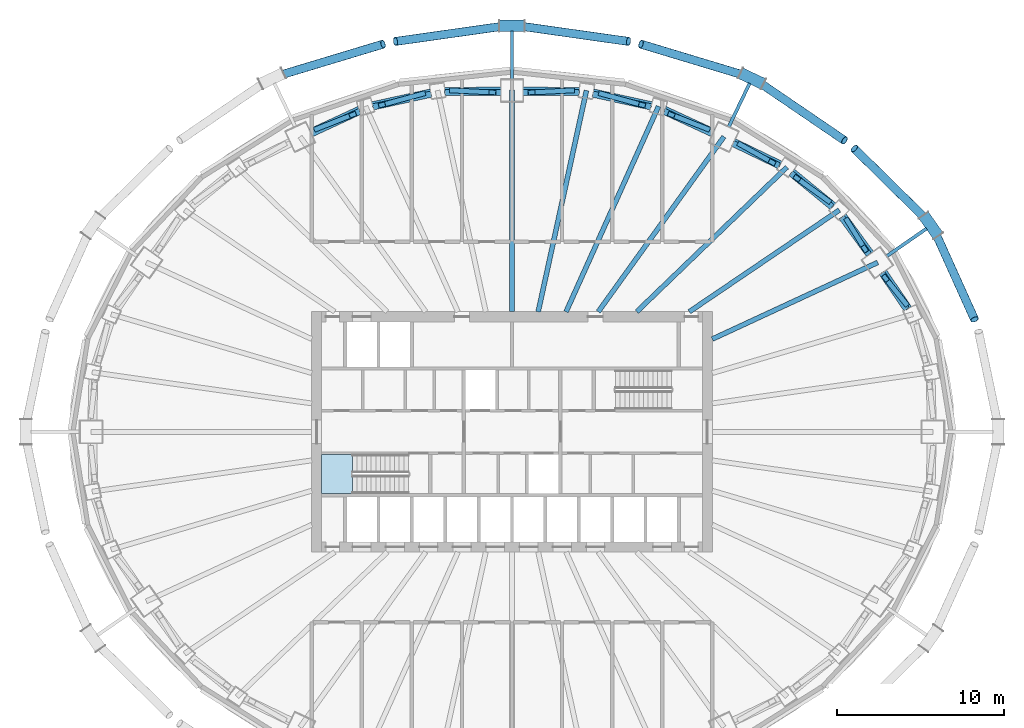
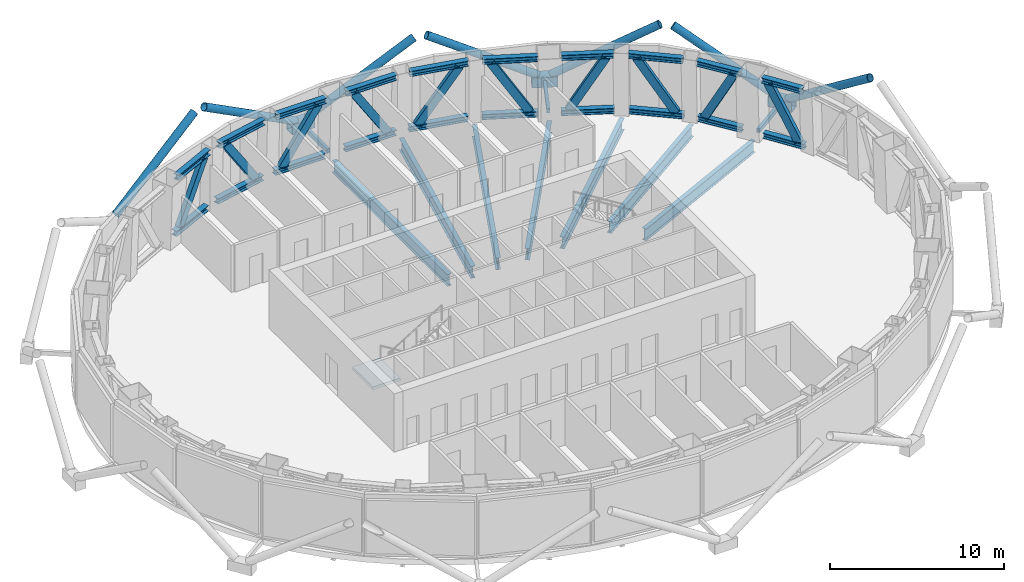
# One storey, part 4 of 18: 27 beams, 23 members, 1 slab, 1 element without a shape of its own.
"""IFC4 building model written with IfcOpenShell, lengths in metres."""

import ifcopenshell
import ifcopenshell.guid

model = None  # the IFC model being written
_history = None  # IfcOwnerHistory: only IFC2X3 demands one
_inside = {}  # id of a spatial element -> (the spatial element, [elements in it])
_under = {}  # id of a project, library or spatial element -> (it, [spatial elements below it])
_declared = {}  # id of a project -> (the project, [libraries it declares])
_typed = {}  # id of a type object -> (the type object, [elements of that type])
_made_of = {}  # id of a material, layer set ... -> (it, [elements and type objects made of it])


def new_model(schema):
    """Start an empty IFC model of exactly this schema.

    Asked for "IFC4X3", IfcOpenShell would pick the latest addendum, in which some entities
    have other attributes; the version numbers below select the first issue.
    IFC2X3 requires an IfcOwnerHistory on every rooted entity: one is made here for all.
    """
    global model, _history
    if schema == "IFC4X3":
        model = ifcopenshell.file(schema_version=(4, 3, 0, 0))
    else:
        model = ifcopenshell.file(schema=schema)
    _inside.clear()
    _under.clear()
    _declared.clear()
    _typed.clear()
    _made_of.clear()
    _history = None
    if model.schema == "IFC2X3":
        org = make("IfcOrganization", Name="unknown")
        user = make(
            "IfcPersonAndOrganization",
            ThePerson=make("IfcPerson", FamilyName="unknown"),
            TheOrganization=org,
        )
        app = make(
            "IfcApplication",
            ApplicationDeveloper=org,
            Version="unknown",
            ApplicationFullName="unknown",
            ApplicationIdentifier="unknown",
        )
        _history = make(
            "IfcOwnerHistory",
            OwningUser=user,
            OwningApplication=app,
            ChangeAction="ADDED",
            CreationDate=0,
        )
    return model


def make(cls, **values):
    """One entity of the class cls with the attributes given. An attribute that is None is left unset."""
    return model.create_entity(
        cls, **{name: value for name, value in values.items() if value is not None}
    )


def rooted(cls, **values):
    """An entity with a GlobalId (a new one), such as an element, a storey or a relation."""
    return make(cls, GlobalId=ifcopenshell.guid.new(), OwnerHistory=_history, **values)


def si_unit(unit_type, name, prefix=None):
    """IfcSIUnit, for example si_unit("LENGTHUNIT", "METRE", prefix="MILLI")."""
    return make("IfcSIUnit", UnitType=unit_type, Prefix=prefix, Name=name)


def assignment(units):
    """IfcUnitAssignment: the units of a project."""
    return None if units is None else make("IfcUnitAssignment", Units=units)


def point(xyz):
    """IfcCartesianPoint."""
    return None if xyz is None else make("IfcCartesianPoint", Coordinates=xyz)


def direction(xyz):
    """IfcDirection."""
    return None if xyz is None else make("IfcDirection", DirectionRatios=xyz)


def frame(location, z_axis=None, x_axis=None):
    """IfcAxis2Placement3D, a coordinate frame: its origin and axes. An axis left out is left unset."""
    return make(
        "IfcAxis2Placement3D",
        Location=point(location),
        Axis=direction(z_axis),
        RefDirection=direction(x_axis),
    )


def frame_2d(location, x_axis=None):
    """IfcAxis2Placement2D, a coordinate frame in the plane: its origin and x axis."""
    return make(
        "IfcAxis2Placement2D", Location=point(location), RefDirection=direction(x_axis)
    )


def origin():
    """The frame at (0, 0, 0) with its axes left unset."""
    return frame((0.0, 0.0, 0.0))


def origin_2d():
    """The frame at (0, 0) in the plane with its x axis left unset."""
    return frame_2d((0.0, 0.0))


def place(relative_to, where):
    """IfcLocalPlacement: puts the frame where relative to a parent placement (None: the world)."""
    return make(
        "IfcLocalPlacement", PlacementRelTo=relative_to, RelativePlacement=where
    )


def context(
    kind, dimensions, precision=None, world=None, true_north=None, identifier=None
):
    """IfcGeometricRepresentationContext, for example the 3D "Model" context."""
    return make(
        "IfcGeometricRepresentationContext",
        ContextIdentifier=identifier,
        ContextType=kind,
        CoordinateSpaceDimension=dimensions,
        Precision=precision,
        WorldCoordinateSystem=world,
        TrueNorth=true_north,
    )


def subcontext(parent, identifier, kind, view, scale=None):
    """IfcGeometricRepresentationSubContext, for example "Body" below "Model"."""
    return make(
        "IfcGeometricRepresentationSubContext",
        ContextIdentifier=identifier,
        ContextType=kind,
        ParentContext=parent,
        TargetScale=scale,
        TargetView=view,
    )


def project(units=None, contexts=None):
    """IfcProject with its units and contexts."""
    return rooted(
        "IfcProject",
        Name="project",
        RepresentationContexts=contexts,
        UnitsInContext=assignment(units),
    )


def spatial(cls, under=None, at=None, **own):
    """A site, building, storey or space (cls), placed at a placement, below another one or the project."""
    s = rooted(cls, ObjectPlacement=at, **own)
    if under is not None:
        _under.setdefault(under.id(), (under, []))[1].append(s)
    return s


def polyline(points):
    """IfcPolyline through the points."""
    return make("IfcPolyline", Points=[point(p) for p in points])


def profile(cls, at=None, kind="AREA", **sizes):
    """A parametric profile (cls). Its sizes go by their IFC names, for example OverallWidth=200.0."""
    return make(cls, ProfileType=kind, Position=at, **sizes)


def hollow_rectangle(**sizes):
    """IfcRectangleHollowProfileDef."""
    return profile("IfcRectangleHollowProfileDef", **sizes)


def hollow_circle(**sizes):
    """IfcCircleHollowProfileDef."""
    return profile("IfcCircleHollowProfileDef", **sizes)


def i_section(**sizes):
    """IfcIShapeProfileDef."""
    return profile("IfcIShapeProfileDef", **sizes)


def outline(outer, holes=None, kind="AREA"):
    """IfcArbitraryClosedProfileDef: a profile drawn as a closed curve; with holes, ...WithVoids."""
    if holes is None:
        return make("IfcArbitraryClosedProfileDef", ProfileType=kind, OuterCurve=outer)
    return make(
        "IfcArbitraryProfileDefWithVoids",
        ProfileType=kind,
        OuterCurve=outer,
        InnerCurves=holes,
    )


def extrude(swept, where, along, depth):
    """IfcExtrudedAreaSolid: the profile swept, set in the frame where, extruded along a direction by depth."""
    return make(
        "IfcExtrudedAreaSolid",
        SweptArea=swept,
        Position=where,
        ExtrudedDirection=direction(along),
        Depth=depth,
    )


def shape(context_of_items, identifier, shape_type, items):
    """IfcShapeRepresentation: the items that make up one representation, for example the "Body"."""
    return make(
        "IfcShapeRepresentation",
        ContextOfItems=context_of_items,
        RepresentationIdentifier=identifier,
        RepresentationType=shape_type,
        Items=items,
    )


def material(Name=None, Category=None):
    """IfcMaterial."""
    return make("IfcMaterial", Name=Name, Category=Category)


def layer(
    of_material, thickness, ventilated=None, Name=None, Category=None, Priority=None
):
    """IfcMaterialLayer: one layer of a wall or slab, of a material (None: an air gap)."""
    return make(
        "IfcMaterialLayer",
        Material=of_material,
        LayerThickness=thickness,
        IsVentilated=ventilated,
        Name=Name,
        Category=Category,
        Priority=Priority,
    )


def layer_set(layers, Name=None):
    """IfcMaterialLayerSet."""
    return make("IfcMaterialLayerSet", MaterialLayers=layers, LayerSetName=Name)


def material_profile(
    of_material, cross_section, Name=None, Category=None, Priority=None
):
    """IfcMaterialProfile: a cross section and its material."""
    return make(
        "IfcMaterialProfile",
        Name=Name,
        Material=of_material,
        Profile=cross_section,
        Priority=Priority,
        Category=Category,
    )


def profile_set(profiles, Name=None, composite=None):
    """IfcMaterialProfileSet."""
    return make(
        "IfcMaterialProfileSet",
        Name=Name,
        MaterialProfiles=profiles,
        CompositeProfile=composite,
    )


def made_of(thing, what):
    """Note that an element or type object is made of a material, layer set ...; save() writes the relation."""
    if what is not None:
        _made_of.setdefault(what.id(), (what, []))[1].append(thing)
    return thing


def type_object(cls, material=None, **own):
    """A type object (cls), such as IfcWallType, which elements share."""
    return made_of(rooted(cls, **own), material)


def element(
    cls,
    number,
    at=None,
    inside=None,
    cuts=None,
    type_object=None,
    material=None,
    context=None,
    identifier="Body",
    shape_type=None,
    held_by="IfcProductDefinitionShape",
    body=None,
    shapes=None,
    **own,
):
    """One element of the class cls, such as IfcWall. Its Tag is "e" and its number.

    at: its placement. inside: the storey or other place that contains it. cuts: it is an
    opening in that element (IfcRelVoidsElement). A single representation is given by context,
    identifier, shape_type and body (its items); several are given by shapes. held_by: the class
    of the entity that holds the representations. save() writes the other relations.
    """
    e = rooted(cls, Tag="e%d" % number, ObjectPlacement=at, **own)
    if body is not None:
        shapes = [shape(context, identifier, shape_type, body)]
    if shapes is not None:
        e.Representation = make(held_by, Representations=shapes)
    if inside is not None:
        _inside.setdefault(inside.id(), (inside, []))[1].append(e)
    if cuts is not None:
        rooted(
            "IfcRelVoidsElement", RelatingBuildingElement=cuts, RelatedOpeningElement=e
        )
    if type_object is not None:
        _typed.setdefault(type_object.id(), (type_object, []))[1].append(e)
    return made_of(e, material)


def aggregate(whole, parts):
    """IfcRelAggregates: a whole, such as a stair, and the parts it consists of."""
    return rooted("IfcRelAggregates", RelatingObject=whole, RelatedObjects=parts)


def save(model, path):
    """Write the relations noted so far, then the file.

    IfcRelAggregates (storeys below a building ...), IfcRelContainedInSpatialStructure (elements
    in a storey), IfcRelDefinesByType, IfcRelAssociatesMaterial and IfcRelDeclares: one each for
    every whole, place, type object, material and project.
    """
    for whole, parts in _under.values():
        aggregate(whole, parts)
    for where, things in _inside.values():
        rooted(
            "IfcRelContainedInSpatialStructure",
            RelatedElements=things,
            RelatingStructure=where,
        )
    for kind, things in _typed.values():
        rooted("IfcRelDefinesByType", RelatedObjects=things, RelatingType=kind)
    for what, things in _made_of.values():
        rooted("IfcRelAssociatesMaterial", RelatedObjects=things, RelatingMaterial=what)
    for by, libraries in _declared.values():
        rooted("IfcRelDeclares", RelatingContext=by, RelatedDefinitions=libraries)
    model.write(path)


model = new_model("IFC4")

# Units and contexts
model_context = context("Model", 3, precision=1e-05, world=origin(), true_north=direction((0.0, 1.0)))
body_context = subcontext(model_context, "Body", "Model", "MODEL_VIEW")
ifc_project = project(units=[si_unit("LENGTHUNIT", "METRE"), si_unit("AREAUNIT", "SQUARE_METRE"), si_unit("VOLUMEUNIT", "CUBIC_METRE"), si_unit("PLANEANGLEUNIT", "RADIAN"), si_unit("MASSUNIT", "GRAM", prefix="KILO")], contexts=[model_context])

# Site, building, storey
site_placement = place(None, origin())
site = spatial("IfcSite", under=ifc_project, at=site_placement, CompositionType="ELEMENT")
building_placement = place(site_placement, origin())
building = spatial("IfcBuilding", under=site, at=building_placement, Name="Siaravel Broadcast Tower", CompositionType="ELEMENT")
storey_placement = place(building_placement, frame((0.0, 0.0, 92.60009765625)))
storey = spatial("IfcBuildingStorey", under=building, at=storey_placement, Name="L21", CompositionType="ELEMENT", Elevation=92.60009765625)

# Beams
ifc_material_1 = material(Name="Steel S355", Category="steel")
ifc_material_profile_1 = material_profile(ifc_material_1, i_section(OverallWidth=0.291748046875, OverallDepth=0.8349609375, WebThickness=0.013916015625, FlangeThickness=0.018798828125, FilletRadius=0.017822265625, at=origin_2d()))
ifc_profile_set_1 = profile_set([ifc_material_profile_1], Name="Steel S355")
beam_type_1 = type_object("IfcBeamType", Name="BM-UB 838x292x176", PredefinedType="BEAM", material=ifc_profile_set_1)
beam_1_placement = place(storey_placement, frame((21.90966796875, 10.15283203125, -0.817626953125), z_axis=(-0.907319134, -0.420442611, 0.0), x_axis=(0.420442611, -0.907319134, 0.0)))
element("IfcBeam", 1, at=beam_1_placement, inside=storey, type_object=beam_type_1, Name="Radial beam RB04", PredefinedType="BEAM", context=body_context, shape_type="SweptSolid", body=[
    extrude(i_section(OverallWidth=0.291748046875, OverallDepth=0.8349609375, WebThickness=0.013916015625, FlangeThickness=0.018798828125, FilletRadius=0.017822265625, at=origin_2d()), origin(), (0.0, 0.0, 1.0), 10.921875),
])
beam_2_placement = place(storey_placement, frame((19.61669921875, 13.29443359375, -0.817626953125), z_axis=(-0.827804556, -0.561016592, 0.0), x_axis=(0.561016592, -0.827804556, 0.0)))
element("IfcBeam", 2, at=beam_2_placement, inside=storey, type_object=beam_type_1, Name="Radial beam RB05", PredefinedType="BEAM", context=body_context, shape_type="SweptSolid", body=[
    extrude(i_section(OverallWidth=0.291748046875, OverallDepth=0.8349609375, WebThickness=0.013916015625, FlangeThickness=0.018798828125, FilletRadius=0.017822265625, at=origin_2d()), origin(), (0.0, 0.0, 1.0), 10.86328125),
])
beam_3_placement = place(storey_placement, frame((16.476318359375, 15.86669921875, -0.817626953125), z_axis=(-0.720307557, -0.69365483, 0.0), x_axis=(0.69365483, -0.720307557, 0.0)))
element("IfcBeam", 3, at=beam_3_placement, inside=storey, type_object=beam_type_1, Name="Radial beam RB06", PredefinedType="BEAM", context=body_context, shape_type="SweptSolid", body=[
    extrude(i_section(OverallWidth=0.291748046875, OverallDepth=0.8349609375, WebThickness=0.013916015625, FlangeThickness=0.018798828125, FilletRadius=0.017822265625, at=origin_2d()), origin(), (0.0, 0.0, 1.0), 12.494384765625),
])
beam_4_placement = place(storey_placement, frame((12.698486328125, 17.688720703125, -0.817626953125), z_axis=(-0.58317543, -0.812346243, 0.0), x_axis=(0.812346243, -0.58317543, 0.0)))
element("IfcBeam", 4, at=beam_4_placement, inside=storey, type_object=beam_type_1, Name="Radial beam RB07", PredefinedType="BEAM", context=body_context, shape_type="SweptSolid", body=[
    extrude(i_section(OverallWidth=0.291748046875, OverallDepth=0.8349609375, WebThickness=0.013916015625, FlangeThickness=0.018798828125, FilletRadius=0.017822265625, at=origin_2d()), origin(), (0.0, 0.0, 1.0), 12.91162109375),
])
beam_5_placement = place(storey_placement, frame((8.779296875, 19.505615234375, -0.817626953125), z_axis=(-0.410427866, -0.911893068, 0.0), x_axis=(0.911893068, -0.410427866, 0.0)))
element("IfcBeam", 5, at=beam_5_placement, inside=storey, type_object=beam_type_1, Name="Radial beam RB08", PredefinedType="BEAM", context=body_context, shape_type="SweptSolid", body=[
    extrude(i_section(OverallWidth=0.291748046875, OverallDepth=0.8349609375, WebThickness=0.013916015625, FlangeThickness=0.018798828125, FilletRadius=0.017822265625, at=origin_2d()), origin(), (0.0, 0.0, 1.0), 13.49462890625),
])
beam_6_placement = place(storey_placement, frame((4.458984375, 20.45361328125, -0.817626953125), z_axis=(-0.213004955, -0.977051119, 0.0), x_axis=(0.977051119, -0.213004955, 0.0)))
element("IfcBeam", 6, at=beam_6_placement, inside=storey, type_object=beam_type_1, Name="Radial beam RB09", PredefinedType="BEAM", context=body_context, shape_type="SweptSolid", body=[
    extrude(i_section(OverallWidth=0.291748046875, OverallDepth=0.8349609375, WebThickness=0.013916015625, FlangeThickness=0.018798828125, FilletRadius=0.017822265625, at=origin_2d()), origin(), (0.0, 0.0, 1.0), 13.56494140625),
])
beam_7_placement = place(storey_placement, frame((0.0, 20.47314453125, -0.817626953125), z_axis=(0.0, -1.0, 0.0), x_axis=(1.0, 0.0, 0.0)))
element("IfcBeam", 7, at=beam_7_placement, inside=storey, type_object=beam_type_1, Name="Radial beam RB10", PredefinedType="BEAM", context=body_context, shape_type="SweptSolid", body=[
    extrude(i_section(OverallWidth=0.291748046875, OverallDepth=0.8349609375, WebThickness=0.013916015625, FlangeThickness=0.018798828125, FilletRadius=0.017822265625, at=origin_2d()), origin(), (0.0, 0.0, 1.0), 13.273193359375),
])
ifc_material_2 = material(Name="Steel S460", Category="steel")
ifc_material_profile_2 = material_profile(ifc_material_2, i_section(OverallWidth=0.374755859375, OverallDepth=0.37451171875, WebThickness=0.0166015625, FlangeThickness=0.027099609375, FilletRadius=0.01513671875, at=origin_2d()))
ifc_profile_set_2 = profile_set([ifc_material_profile_2], Name="Steel S460")
beam_type_2 = type_object("IfcBeamType", Name="Belt truss chord UC 356x368x202", PredefinedType="BEAM", material=ifc_profile_set_2)
beam_8_placement = place(storey_placement, frame((23.78173828125, 7.40087890625, 0.187255859375), z_axis=(-0.562433106, 0.826842791, 0.0), x_axis=(-0.826842791, -0.562433106, 0.0)))
element("IfcBeam", 8, at=beam_8_placement, inside=storey, type_object=beam_type_2, Name="Belt truss 1 bottom chord 03", PredefinedType="BEAM", context=body_context, shape_type="SweptSolid", body=[
    extrude(i_section(OverallWidth=0.374755859375, OverallDepth=0.37451171875, WebThickness=0.0166015625, FlangeThickness=0.027099609375, FilletRadius=0.01513671875, at=origin_2d()), origin(), (0.0, 0.0, 1.0), 2.658203125),
])
beam_9_placement = place(storey_placement, frame((23.63525390625, 7.357177734375, 4.16259765625), z_axis=(-0.562882554, 0.82653689, 0.0), x_axis=(-0.82653689, -0.562882554, 0.0)))
element("IfcBeam", 9, at=beam_9_placement, inside=storey, type_object=beam_type_2, Name="Belt truss 1 top chord 03", PredefinedType="BEAM", context=body_context, shape_type="SweptSolid", body=[
    extrude(i_section(OverallWidth=0.374755859375, OverallDepth=0.37451171875, WebThickness=0.0166015625, FlangeThickness=0.027099609375, FilletRadius=0.01513671875, at=origin_2d()), origin(), (0.0, 0.0, 1.0), 2.63525390625),
])
beam_10_placement = place(storey_placement, frame((21.5146484375, 10.694091796875, 0.187255859375), z_axis=(-0.589539817, 0.807739317, 0.0), x_axis=(-0.807739317, -0.589539817, 0.0)))
element("IfcBeam", 10, at=beam_10_placement, inside=storey, type_object=beam_type_2, Name="Belt truss 1 bottom chord 04", PredefinedType="BEAM", context=body_context, shape_type="SweptSolid", body=[
    extrude(i_section(OverallWidth=0.374755859375, OverallDepth=0.37451171875, WebThickness=0.0166015625, FlangeThickness=0.027099609375, FilletRadius=0.01513671875, at=origin_2d()), origin(), (0.0, 0.0, 1.0), 2.799560546875),
])
beam_11_placement = place(storey_placement, frame((21.380126953125, 10.630615234375, 4.16259765625), z_axis=(-0.589206855, 0.807982229, 0.0), x_axis=(-0.807982229, -0.589206855, 0.0)))
element("IfcBeam", 11, at=beam_11_placement, inside=storey, type_object=beam_type_2, Name="Belt truss 1 top chord 04", PredefinedType="BEAM", context=body_context, shape_type="SweptSolid", body=[
    extrude(i_section(OverallWidth=0.374755859375, OverallDepth=0.37451171875, WebThickness=0.0166015625, FlangeThickness=0.027099609375, FilletRadius=0.01513671875, at=origin_2d()), origin(), (0.0, 0.0, 1.0), 2.775390625),
])
beam_12_placement = place(storey_placement, frame((19.291748046875, 13.560546875, 0.187255859375), z_axis=(-0.77362609, 0.633642385, 0.0), x_axis=(-0.633642385, -0.77362609, 0.0)))
element("IfcBeam", 12, at=beam_12_placement, inside=storey, type_object=beam_type_2, Name="Belt truss 1 bottom chord 05", PredefinedType="BEAM", context=body_context, shape_type="SweptSolid", body=[
    extrude(i_section(OverallWidth=0.374755859375, OverallDepth=0.37451171875, WebThickness=0.0166015625, FlangeThickness=0.027099609375, FilletRadius=0.01513671875, at=origin_2d()), origin(), (0.0, 0.0, 1.0), 3.219482421875),
])
beam_13_placement = place(storey_placement, frame((19.172607421875, 13.478515625, 4.16259765625), z_axis=(-0.77363035, 0.633637185, 0.0), x_axis=(-0.633637185, -0.77363035, 0.0)))
element("IfcBeam", 13, at=beam_13_placement, inside=storey, type_object=beam_type_2, Name="Belt truss 1 top chord 05", PredefinedType="BEAM", context=body_context, shape_type="SweptSolid", body=[
    extrude(i_section(OverallWidth=0.374755859375, OverallDepth=0.37451171875, WebThickness=0.0166015625, FlangeThickness=0.027099609375, FilletRadius=0.01513671875, at=origin_2d()), origin(), (0.0, 0.0, 1.0), 3.19482421875),
])
beam_14_placement = place(storey_placement, frame((16.097900390625, 16.04931640625, 0.187255859375), z_axis=(-0.900722523, 0.434394909, 0.0), x_axis=(-0.434394909, -0.900722523, 0.0)))
element("IfcBeam", 14, at=beam_14_placement, inside=storey, type_object=beam_type_2, Name="Belt truss 1 bottom chord 06", PredefinedType="BEAM", context=body_context, shape_type="SweptSolid", body=[
    extrude(i_section(OverallWidth=0.374755859375, OverallDepth=0.37451171875, WebThickness=0.0166015625, FlangeThickness=0.027099609375, FilletRadius=0.01513671875, at=origin_2d()), origin(), (0.0, 0.0, 1.0), 3.10400390625),
])
beam_15_placement = place(storey_placement, frame((15.99755859375, 15.951416015625, 4.16259765625), z_axis=(-0.900928179, 0.433968221, 0.0), x_axis=(-0.433968221, -0.900928179, 0.0)))
element("IfcBeam", 15, at=beam_15_placement, inside=storey, type_object=beam_type_2, Name="Belt truss 1 top chord 06", PredefinedType="BEAM", context=body_context, shape_type="SweptSolid", body=[
    extrude(i_section(OverallWidth=0.374755859375, OverallDepth=0.37451171875, WebThickness=0.0166015625, FlangeThickness=0.027099609375, FilletRadius=0.01513671875, at=origin_2d()), origin(), (0.0, 0.0, 1.0), 3.078369140625),
])
beam_16_placement = place(storey_placement, frame((12.090576171875, 17.970458984375, 0.187255859375), z_axis=(-0.907250109, 0.420591535, 0.0), x_axis=(-0.420591535, -0.907250109, 0.0)))
element("IfcBeam", 16, at=beam_16_placement, inside=storey, type_object=beam_type_2, Name="Belt truss 1 bottom chord 07", PredefinedType="BEAM", context=body_context, shape_type="SweptSolid", body=[
    extrude(i_section(OverallWidth=0.374755859375, OverallDepth=0.37451171875, WebThickness=0.0166015625, FlangeThickness=0.027099609375, FilletRadius=0.01513671875, at=origin_2d()), origin(), (0.0, 0.0, 1.0), 3.229736328125),
])
beam_17_placement = place(storey_placement, frame((12.0126953125, 17.860107421875, 4.16259765625), z_axis=(-0.907022483, 0.421082196, 0.0), x_axis=(-0.421082196, -0.907022483, 0.0)))
element("IfcBeam", 17, at=beam_17_placement, inside=storey, type_object=beam_type_2, Name="Belt truss 1 top chord 07", PredefinedType="BEAM", context=body_context, shape_type="SweptSolid", body=[
    extrude(i_section(OverallWidth=0.374755859375, OverallDepth=0.37451171875, WebThickness=0.0166015625, FlangeThickness=0.027099609375, FilletRadius=0.01513671875, at=origin_2d()), origin(), (0.0, 0.0, 1.0), 3.203369140625),
])
beam_18_placement = place(storey_placement, frame((8.369140625, 19.595703125, 0.187255859375), z_axis=(-0.976754435, 0.214361315, 0.0), x_axis=(-0.214361315, -0.976754435, 0.0)))
element("IfcBeam", 18, at=beam_18_placement, inside=storey, type_object=beam_type_2, Name="Belt truss 1 bottom chord 08", PredefinedType="BEAM", context=body_context, shape_type="SweptSolid", body=[
    extrude(i_section(OverallWidth=0.374755859375, OverallDepth=0.37451171875, WebThickness=0.0166015625, FlangeThickness=0.027099609375, FilletRadius=0.01513671875, at=origin_2d()), origin(), (0.0, 0.0, 1.0), 3.5830078125),
])
beam_19_placement = place(storey_placement, frame((8.31591796875, 19.4755859375, 4.16259765625), z_axis=(-0.976747499, 0.214392918, 0.0), x_axis=(-0.214392918, -0.976747499, 0.0)))
element("IfcBeam", 19, at=beam_19_placement, inside=storey, type_object=beam_type_2, Name="Belt truss 1 top chord 08", PredefinedType="BEAM", context=body_context, shape_type="SweptSolid", body=[
    extrude(i_section(OverallWidth=0.374755859375, OverallDepth=0.37451171875, WebThickness=0.0166015625, FlangeThickness=0.027099609375, FilletRadius=0.01513671875, at=origin_2d()), origin(), (0.0, 0.0, 1.0), 3.556396484375),
])
beam_20_placement = place(storey_placement, frame((4.0390625, 20.45556640625, 0.187255859375), z_axis=(-0.999990548, 0.004347785, 0.0), x_axis=(-0.004347785, -0.999990548, 0.0)))
element("IfcBeam", 20, at=beam_20_placement, inside=storey, type_object=beam_type_2, Name="Belt truss 1 bottom chord 09", PredefinedType="BEAM", context=body_context, shape_type="SweptSolid", body=[
    extrude(i_section(OverallWidth=0.374755859375, OverallDepth=0.37451171875, WebThickness=0.0166015625, FlangeThickness=0.027099609375, FilletRadius=0.01513671875, at=origin_2d()), origin(), (0.0, 0.0, 1.0), 3.369140625),
])
beam_21_placement = place(storey_placement, frame((4.011962890625, 20.329833984375, 4.16259765625), z_axis=(-0.999992219, 0.003944742, 0.0), x_axis=(-0.003944742, -0.999992219, 0.0)))
element("IfcBeam", 21, at=beam_21_placement, inside=storey, type_object=beam_type_2, Name="Belt truss 1 top chord 09", PredefinedType="BEAM", context=body_context, shape_type="SweptSolid", body=[
    extrude(i_section(OverallWidth=0.374755859375, OverallDepth=0.37451171875, WebThickness=0.0166015625, FlangeThickness=0.027099609375, FilletRadius=0.01513671875, at=origin_2d()), origin(), (0.0, 0.0, 1.0), 3.342041015625),
])
beam_22_placement = place(storey_placement, frame((-0.669921875, 20.47021484375, 0.187255859375), z_axis=(-0.999990548, -0.004347785, 0.0), x_axis=(0.004347785, -0.999990548, 0.0)))
element("IfcBeam", 22, at=beam_22_placement, inside=storey, type_object=beam_type_2, Name="Belt truss 1 bottom chord 10", PredefinedType="BEAM", context=body_context, shape_type="SweptSolid", body=[
    extrude(i_section(OverallWidth=0.374755859375, OverallDepth=0.37451171875, WebThickness=0.0166015625, FlangeThickness=0.027099609375, FilletRadius=0.01513671875, at=origin_2d()), origin(), (0.0, 0.0, 1.0), 3.369140625),
])
beam_23_placement = place(storey_placement, frame((-0.669921875, 20.343017578125, 4.16259765625), z_axis=(-0.999992219, -0.003944742, 0.0), x_axis=(0.003944742, -0.999992219, 0.0)))
element("IfcBeam", 23, at=beam_23_placement, inside=storey, type_object=beam_type_2, Name="Belt truss 1 top chord 10", PredefinedType="BEAM", context=body_context, shape_type="SweptSolid", body=[
    extrude(i_section(OverallWidth=0.374755859375, OverallDepth=0.37451171875, WebThickness=0.0166015625, FlangeThickness=0.027099609375, FilletRadius=0.01513671875, at=origin_2d()), origin(), (0.0, 0.0, 1.0), 3.342041015625),
])
beam_24_placement = place(storey_placement, frame((-4.869384765625, 20.36376953125, 0.187255859375), z_axis=(-0.976754435, -0.214361315, 0.0), x_axis=(0.214361315, -0.976754435, 0.0)))
element("IfcBeam", 24, at=beam_24_placement, inside=storey, type_object=beam_type_2, Name="Belt truss 1 bottom chord 11", PredefinedType="BEAM", context=body_context, shape_type="SweptSolid", body=[
    extrude(i_section(OverallWidth=0.374755859375, OverallDepth=0.37451171875, WebThickness=0.0166015625, FlangeThickness=0.027099609375, FilletRadius=0.01513671875, at=origin_2d()), origin(), (0.0, 0.0, 1.0), 3.5830078125),
])
beam_25_placement = place(storey_placement, frame((-4.84228515625, 20.238037109375, 4.16259765625), z_axis=(-0.976747499, -0.214392918, 0.0), x_axis=(0.214392918, -0.976747499, 0.0)))
element("IfcBeam", 25, at=beam_25_placement, inside=storey, type_object=beam_type_2, Name="Belt truss 1 top chord 11", PredefinedType="BEAM", context=body_context, shape_type="SweptSolid", body=[
    extrude(i_section(OverallWidth=0.374755859375, OverallDepth=0.37451171875, WebThickness=0.0166015625, FlangeThickness=0.027099609375, FilletRadius=0.01513671875, at=origin_2d()), origin(), (0.0, 0.0, 1.0), 3.556396484375),
])
beam_26_placement = place(storey_placement, frame((-9.160400390625, 19.328857421875, 0.187255859375), z_axis=(-0.907250109, -0.420591535, 0.0), x_axis=(0.420591535, -0.907250109, 0.0)))
element("IfcBeam", 26, at=beam_26_placement, inside=storey, type_object=beam_type_2, Name="Belt truss 1 bottom chord 12", PredefinedType="BEAM", context=body_context, shape_type="SweptSolid", body=[
    extrude(i_section(OverallWidth=0.374755859375, OverallDepth=0.37451171875, WebThickness=0.0166015625, FlangeThickness=0.027099609375, FilletRadius=0.01513671875, at=origin_2d()), origin(), (0.0, 0.0, 1.0), 3.229736328125),
])
beam_27_placement = place(storey_placement, frame((-9.107177734375, 19.208984375, 4.16259765625), z_axis=(-0.907022483, -0.421082196, 0.0), x_axis=(0.421082196, -0.907022483, 0.0)))
element("IfcBeam", 27, at=beam_27_placement, inside=storey, type_object=beam_type_2, Name="Belt truss 1 top chord 12", PredefinedType="BEAM", context=body_context, shape_type="SweptSolid", body=[
    extrude(i_section(OverallWidth=0.374755859375, OverallDepth=0.37451171875, WebThickness=0.0166015625, FlangeThickness=0.027099609375, FilletRadius=0.01513671875, at=origin_2d()), origin(), (0.0, 0.0, 1.0), 3.203369140625),
])

# Members
ifc_material_profile_3 = material_profile(ifc_material_2, hollow_rectangle(XDim=0.300048828125, YDim=0.5, WallThickness=0.01611328125, at=origin_2d()))
ifc_profile_set_3 = profile_set([ifc_material_profile_3], Name="Steel S460")
member_type_1 = type_object("IfcMemberType", Name="Belt truss web RHS 500x300x16", PredefinedType="BRACE", material=ifc_profile_set_3)
member_1_placement = place(storey_placement, frame((23.557373046875, 7.730712890625, 0.344482421875), z_axis=(-0.287011733, 0.358572141, 0.888285024), x_axis=(-0.780705201, -0.624899504, 0.0)))
element("IfcMember", 28, at=member_1_placement, inside=storey, type_object=member_type_1, Name="Belt truss 1 web 03", PredefinedType="BRACE", context=body_context, shape_type="SweptSolid", body=[
    extrude(hollow_rectangle(XDim=0.300048828125, YDim=0.5, WallThickness=0.01611328125, at=origin_2d()), origin(), (0.0, 0.0, 1.0), 4.121337890625),
])
member_2_placement = place(storey_placement, frame((20.11181640625, 12.6162109375, 0.344482421875), z_axis=(0.246876834, -0.398066799, 0.883512678), x_axis=(0.849830576, 0.527055967, 0.0)))
element("IfcMember", 29, at=member_2_placement, inside=storey, type_object=member_type_1, Name="Belt truss 1 web 04", PredefinedType="BRACE", context=body_context, shape_type="SweptSolid", body=[
    extrude(hollow_rectangle(XDim=0.300048828125, YDim=0.5, WallThickness=0.01611328125, at=origin_2d()), origin(), (0.0, 0.0, 1.0), 4.1435546875),
])
member_3_placement = place(storey_placement, frame((18.918212890625, 13.86669921875, 0.344482421875), z_axis=(-0.428281243, 0.309078279, 0.849144154), x_axis=(-0.585196916, -0.810891219, 0.0)))
element("IfcMember", 30, at=member_3_placement, inside=storey, type_object=member_type_1, Name="Belt truss 1 web 05", PredefinedType="BRACE", context=body_context, shape_type="SweptSolid", body=[
    extrude(hollow_rectangle(XDim=0.300048828125, YDim=0.5, WallThickness=0.01611328125, at=origin_2d()), origin(), (0.0, 0.0, 1.0), 4.311279296875),
])
member_4_placement = place(storey_placement, frame((13.72119140625, 17.1953125, 0.344482421875), z_axis=(0.439070907, -0.24632915, 0.864024704), x_axis=(0.489282824, 0.872125174, 0.0)))
element("IfcMember", 31, at=member_4_placement, inside=storey, type_object=member_type_1, Name="Belt truss 1 web 06", PredefinedType="BRACE", context=body_context, shape_type="SweptSolid", body=[
    extrude(hollow_rectangle(XDim=0.300048828125, YDim=0.5, WallThickness=0.01611328125, at=origin_2d()), origin(), (0.0, 0.0, 1.0), 4.237060546875),
])
member_5_placement = place(storey_placement, frame((11.65087890625, 18.17431640625, 0.344482421875), z_axis=(-0.489575637, 0.193301291, 0.850264845), x_axis=(-0.367245022, -0.930124236, 0.0)))
element("IfcMember", 32, at=member_5_placement, inside=storey, type_object=member_type_1, Name="Belt truss 1 web 07", PredefinedType="BRACE", context=body_context, shape_type="SweptSolid", body=[
    extrude(hollow_rectangle(XDim=0.300048828125, YDim=0.5, WallThickness=0.01611328125, at=origin_2d()), origin(), (0.0, 0.0, 1.0), 4.3056640625),
])
member_6_placement = place(storey_placement, frame((5.394287109375, 20.24853515625, 0.344482421875), z_axis=(0.542266022, -0.148732987, 0.826937761), x_axis=(0.264511321, 0.96438258, 0.0)))
element("IfcMember", 33, at=member_6_placement, inside=storey, type_object=member_type_1, Name="Belt truss 1 web 08", PredefinedType="BRACE", context=body_context, shape_type="SweptSolid", body=[
    extrude(hollow_rectangle(XDim=0.300048828125, YDim=0.5, WallThickness=0.01611328125, at=origin_2d()), origin(), (0.0, 0.0, 1.0), 4.427001953125),
])
for number, where, z_axis, x_axis, name in (
    (34, (3.53369140625, 20.457763671875, 0.344482421875), (-0.542003952, -0.026775309, 0.839949283), (0.04934041, -0.99878202, 0.0), "Belt truss 1 web 09"),
    (35, (-3.53369140625, 20.457763671875, 0.344482421875), (0.542003952, -0.026775309, 0.839949283), (0.04934041, 0.99878202, 0.0), "Belt truss 1 web 10"),
):
    element("IfcMember", number, at=place(storey_placement, frame(where, z_axis=z_axis, x_axis=x_axis)), inside=storey, type_object=member_type_1, Name=name, PredefinedType="BRACE", context=body_context, shape_type="SweptSolid", body=[
        extrude(hollow_rectangle(XDim=0.300048828125, YDim=0.5, WallThickness=0.01611328125, at=origin_2d()), origin(), (0.0, 0.0, 1.0), 4.3583984375),
    ])
member_7_placement = place(storey_placement, frame((-5.394287109375, 20.24853515625, 0.344482421875), z_axis=(-0.542266022, -0.148732987, 0.826937761), x_axis=(0.264511321, -0.96438258, 0.0)))
element("IfcMember", 36, at=member_7_placement, inside=storey, type_object=member_type_1, Name="Belt truss 1 web 11", PredefinedType="BRACE", context=body_context, shape_type="SweptSolid", body=[
    extrude(hollow_rectangle(XDim=0.300048828125, YDim=0.5, WallThickness=0.01611328125, at=origin_2d()), origin(), (0.0, 0.0, 1.0), 4.427001953125),
])
member_8_placement = place(storey_placement, frame((-11.65087890625, 18.17431640625, 0.344482421875), z_axis=(0.489575637, 0.193301291, 0.850264845), x_axis=(-0.367245022, 0.930124236, 0.0)))
element("IfcMember", 37, at=member_8_placement, inside=storey, type_object=member_type_1, Name="Belt truss 1 web 12", PredefinedType="BRACE", context=body_context, shape_type="SweptSolid", body=[
    extrude(hollow_rectangle(XDim=0.300048828125, YDim=0.5, WallThickness=0.01611328125, at=origin_2d()), origin(), (0.0, 0.0, 1.0), 4.3056640625),
])
ifc_material_profile_4 = material_profile(ifc_material_2, hollow_circle(Radius=0.25390625, WallThickness=0.02001953125, at=origin_2d()))
ifc_profile_set_4 = profile_set([ifc_material_profile_4], Name="Steel S460")
member_type_2 = type_object("IfcMemberType", Name="Diagrid diagonal CHS 508x20", PredefinedType="BRACE", material=ifc_profile_set_4)
member_9_placement = place(storey_placement, frame((25.31884765625, 12.052978515625, 0.119873046875), z_axis=(0.342967514, -0.760141107, 0.551868447), x_axis=(0.911515389, 0.411265966, 0.0)))
element("IfcMember", 38, at=member_9_placement, inside=storey, type_object=member_type_2, Name="Diagrid diagonal R09 station 06C", PredefinedType="BRACE", context=body_context, shape_type="SweptSolid", body=[
    extrude(hollow_circle(Radius=0.25390625, WallThickness=0.02001953125, at=origin_2d()), origin(), (0.0, 0.0, 1.0), 6.99462890625),
])
member_10_placement = place(storey_placement, frame((24.881591796875, 12.67333984375, 0.119873046875), z_axis=(-0.603041015, 0.594050454, 0.532396085), x_axis=(-0.701776379, -0.7123973, 0.0)))
element("IfcMember", 39, at=member_10_placement, inside=storey, type_object=member_type_2, Name="Diagrid diagonal R09 station 06A", PredefinedType="BRACE", context=body_context, shape_type="SweptSolid", body=[
    extrude(hollow_circle(Radius=0.25390625, WallThickness=0.02001953125, at=origin_2d()), origin(), (0.0, 0.0, 1.0), 7.25048828125),
])
member_11_placement = place(storey_placement, frame((14.71923828125, 21.007568359375, 0.119873046875), z_axis=(0.704461757, -0.480175097, 0.522652379), x_axis=(0.563224928, 0.826303625, 0.0)))
element("IfcMember", 40, at=member_11_placement, inside=storey, type_object=member_type_2, Name="Diagrid diagonal R09 station 12C", PredefinedType="BRACE", context=body_context, shape_type="SweptSolid", body=[
    extrude(hollow_circle(Radius=0.25390625, WallThickness=0.02001953125, at=origin_2d()), origin(), (0.0, 0.0, 1.0), 7.385498046875),
])
member_12_placement = place(storey_placement, frame((14.033203125, 21.331787109375, 0.119873046875), z_axis=(-0.826096536, 0.249162045, 0.505453053), x_axis=(-0.288764975, -0.957400015, 0.0)))
element("IfcMember", 41, at=member_12_placement, inside=storey, type_object=member_type_2, Name="Diagrid diagonal R09 station 12A", PredefinedType="BRACE", context=body_context, shape_type="SweptSolid", body=[
    extrude(hollow_circle(Radius=0.25390625, WallThickness=0.02001953125, at=origin_2d()), origin(), (0.0, 0.0, 1.0), 7.636962890625),
])
for number, where, z_axis, x_axis, name in (
    (42, (0.37939453125, 24.33056640625, 0.119873046875), (0.856972193, -0.121121102, 0.500927478), (0.13994524, 0.990159245, 0.0), "Diagrid diagonal R09 station 18C"),
    (43, (-0.37939453125, 24.33056640625, 0.119873046875), (-0.856972193, -0.121121102, 0.500927478), (0.13994524, -0.990159245, 0.0), "Diagrid diagonal R09 station 18A"),
):
    element("IfcMember", number, at=place(storey_placement, frame(where, z_axis=z_axis, x_axis=x_axis)), inside=storey, type_object=member_type_2, Name=name, PredefinedType="BRACE", context=body_context, shape_type="SweptSolid", body=[
        extrude(hollow_circle(Radius=0.25390625, WallThickness=0.02001953125, at=origin_2d()), origin(), (0.0, 0.0, 1.0), 7.705810546875),
    ])
member_13_placement = place(storey_placement, frame((-14.033203125, 21.331787109375, 0.119873046875), z_axis=(0.826096536, 0.249162045, 0.505453053), x_axis=(-0.288764975, 0.957400015, 0.0)))
element("IfcMember", 44, at=member_13_placement, inside=storey, type_object=member_type_2, Name="Diagrid diagonal R09 station 24C", PredefinedType="BRACE", context=body_context, shape_type="SweptSolid", body=[
    extrude(hollow_circle(Radius=0.25390625, WallThickness=0.02001953125, at=origin_2d()), origin(), (0.0, 0.0, 1.0), 7.636962890625),
])
ifc_material_profile_5 = material_profile(ifc_material_2, hollow_rectangle(XDim=0.699951171875, YDim=0.699951171875, WallThickness=0.0400390625, at=origin_2d()))
ifc_profile_set_5 = profile_set([ifc_material_profile_5], Name="Steel S460")
member_type_3 = type_object("IfcMemberType", Name="Diagrid node BOX 700x700x40", PredefinedType="USERDEFINED", material=ifc_profile_set_5)
for number, where, z_axis, x_axis, name in (
    (45, (25.5341796875, 11.747314453125, -0.2001953125), (-0.576015054, 0.817439085, 0.0), (-0.817439085, -0.576015054, 0.0), "Diagrid node R09 station 06"),
    (46, (15.057373046875, 20.84765625, -0.2001953125), (-0.904060884, 0.427403694, 0.0), (-0.427403694, -0.904060884, 0.0), "Diagrid node R09 station 12"),
    (47, (0.75341796875, 24.33056640625, -0.2001953125), (-1.0, 0.0, 0.0), (0.0, -1.0, 0.0), "Diagrid node R09 station 18"),
):
    element("IfcMember", number, at=place(storey_placement, frame(where, z_axis=z_axis, x_axis=x_axis)), inside=storey, type_object=member_type_3, Name=name, ObjectType="DIAGRID NODE", PredefinedType="USERDEFINED", context=body_context, shape_type="SweptSolid", body=[
        extrude(hollow_rectangle(XDim=0.699951171875, YDim=0.699951171875, WallThickness=0.0400390625, at=origin_2d()), origin(), (0.0, 0.0, 1.0), 1.5068359375),
    ])
ifc_material_profile_6 = material_profile(ifc_material_2, hollow_rectangle(XDim=0.199951171875, YDim=0.300048828125, WallThickness=0.012451171875, at=origin_2d()))
ifc_profile_set_6 = profile_set([ifc_material_profile_6], Name="Steel S460")
member_type_4 = type_object("IfcMemberType", Name="Diagrid node arm RHS 300x200x12.5", PredefinedType="STRUT", material=ifc_profile_set_6)
member_14_placement = place(storey_placement, frame((22.46044921875, 10.534423828125, -0.2001953125), z_axis=(0.822046263, 0.569420707, 0.0), x_axis=(-0.569420707, 0.822046263, 0.0)))
element("IfcMember", 48, at=member_14_placement, inside=storey, type_object=member_type_4, Name="Node arm R09 station 06", PredefinedType="STRUT", context=body_context, shape_type="SweptSolid", body=[
    extrude(hollow_rectangle(XDim=0.199951171875, YDim=0.300048828125, WallThickness=0.012451171875, at=origin_2d()), origin(), (0.0, 0.0, 1.0), 2.8916015625),
])
member_15_placement = place(storey_placement, frame((12.9892578125, 18.292236328125, -0.2001953125), z_axis=(0.434221649, 0.900806061, 0.0), x_axis=(-0.900806061, 0.434221649, 0.0)))
element("IfcMember", 49, at=member_15_placement, inside=storey, type_object=member_type_4, Name="Node arm R09 station 12", PredefinedType="STRUT", context=body_context, shape_type="SweptSolid", body=[
    extrude(hollow_rectangle(XDim=0.199951171875, YDim=0.300048828125, WallThickness=0.012451171875, at=origin_2d()), origin(), (0.0, 0.0, 1.0), 2.874267578125),
])
member_16_placement = place(storey_placement, frame((0.0, 21.143310546875, -0.2001953125), z_axis=(0.0, 1.0, 0.0), x_axis=(-1.0, 0.0, 0.0)))
element("IfcMember", 50, at=member_16_placement, inside=storey, type_object=member_type_4, Name="Node arm R09 station 18", PredefinedType="STRUT", context=body_context, shape_type="SweptSolid", body=[
    extrude(hollow_rectangle(XDim=0.199951171875, YDim=0.300048828125, WallThickness=0.012451171875, at=origin_2d()), origin(), (0.0, 0.0, 1.0), 2.8671875),
])

# Stair, slab
ifc_material_3 = material(Name="Concrete C40/50", Category="concrete")
stair_type = type_object("IfcStairType", Name="Core exit stair", PredefinedType="HALF_TURN_STAIR", material=ifc_material_3)
stair_placement = place(storey_placement, origin())
stair = element("IfcStair", 51, at=stair_placement, inside=storey, type_object=stair_type, Name="L21 Exit stair ST-1", PredefinedType="HALF_TURN_STAIR")
ifc_layer = layer(ifc_material_3, 0.199951171875)
ifc_layer_set = layer_set([ifc_layer], Name="Concrete C40/50")
slab_type = type_object("IfcSlabType", Name="Stair landing", PredefinedType="LANDING", material=ifc_layer_set)
slab_placement = place(storey_placement, frame((0.0, 0.0, 2.0498046875)))
slab = element("IfcSlab", 52, at=slab_placement, type_object=slab_type, Name="ST-1 landing 1", PredefinedType="LANDING", context=body_context, shape_type="SweptSolid", body=[
    extrude(outline(polyline([(-9.56005859375, -1.35009765625), (-11.39990234375, -1.35009765625), (-11.39990234375, -3.699951171875), (-9.56005859375, -3.699951171875), (-9.56005859375, -1.35009765625)])), origin(), (0.0, 0.0, 1.0), 0.2001953125),
])
aggregate(stair, [slab])

save(model, "model.ifc")
